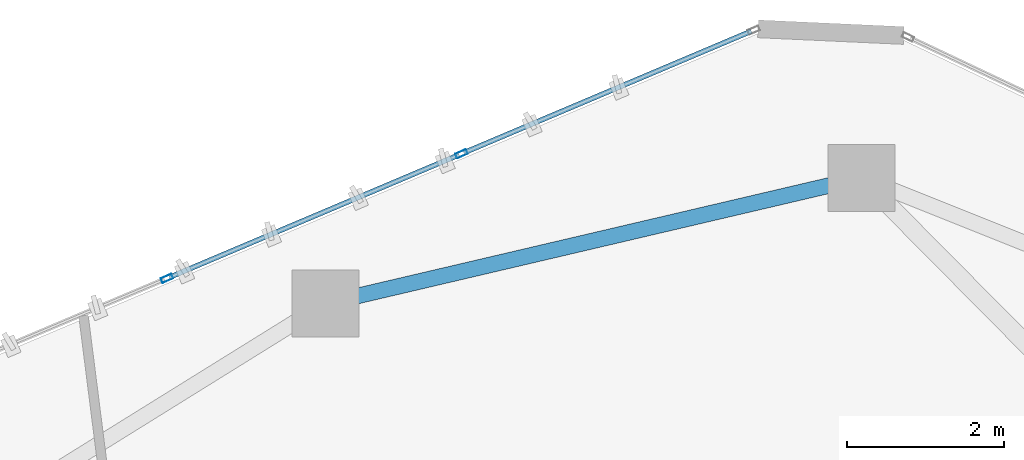
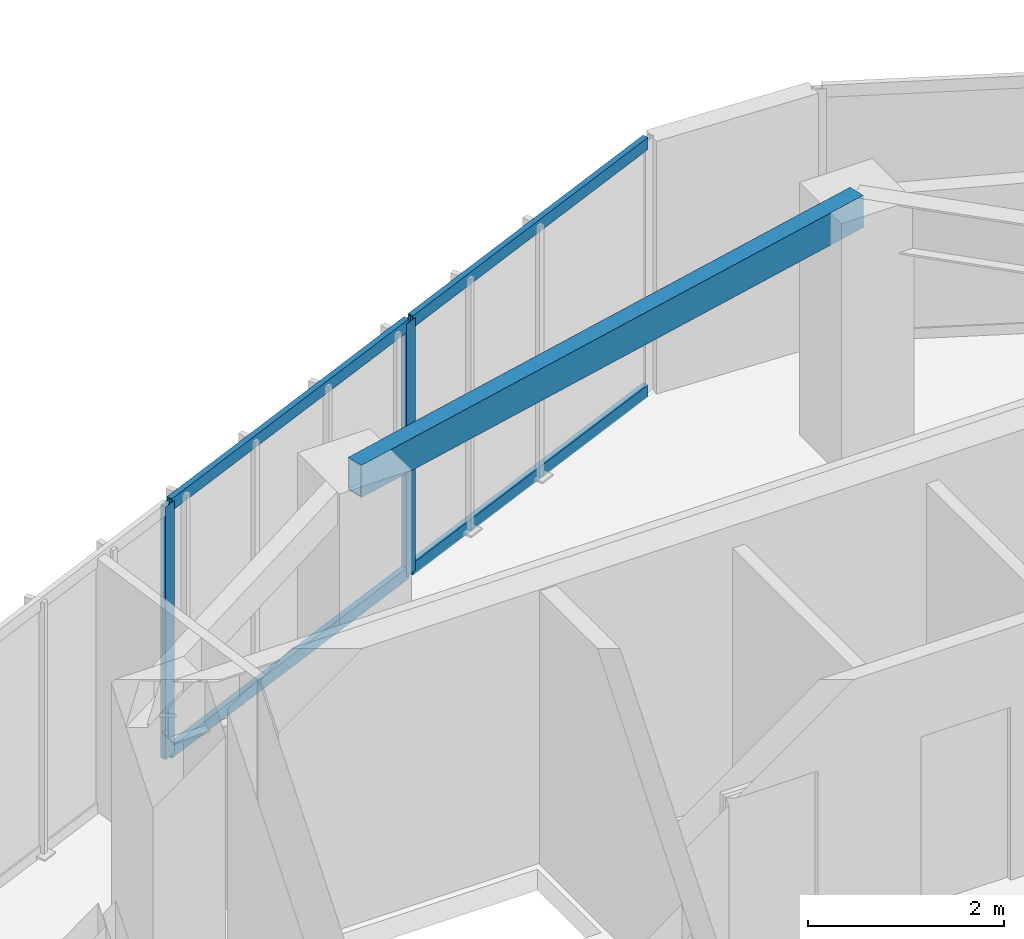
# One storey, part 11 of 20: 6 members, 1 beam, 1 element without a shape of its own.
"""IFC4 building model written with IfcOpenShell, lengths in metres."""

from ifc_helpers import new_model, si_unit, direction, frame, origin, origin_2d, place, context, subcontext, project, spatial, hollow_rectangle, extrude, source, transform, mapped, material, layer, layer_set, material_profile, profile_set, type_object, type_shapes, element, aggregate, save


model = new_model("IFC4")

# Units and contexts
model_context = context("Model", 3, precision=1e-05, world=origin(), true_north=direction((0.0, 1.0)))
body_context = subcontext(model_context, "Body", "Model", "MODEL_VIEW")
ifc_project = project(units=[si_unit("LENGTHUNIT", "METRE"), si_unit("AREAUNIT", "SQUARE_METRE"), si_unit("VOLUMEUNIT", "CUBIC_METRE"), si_unit("PLANEANGLEUNIT", "RADIAN"), si_unit("MASSUNIT", "GRAM", prefix="KILO")], contexts=[model_context])

# Site, building, storey
site_placement = place(None, origin())
site = spatial("IfcSite", under=ifc_project, at=site_placement, CompositionType="ELEMENT")
building_placement = place(site_placement, origin())
building = spatial("IfcBuilding", under=site, at=building_placement, Name="Talar Marvaseh", CompositionType="ELEMENT")
storey_placement = place(building_placement, frame((0.0, 0.0, 274.800048828125)))
storey = spatial("IfcBuildingStorey", under=building, at=storey_placement, Name="L73", CompositionType="ELEMENT", Elevation=274.800048828125)

# Beam
ifc_material_1 = material(Name="Steel S355", Category="steel")
ifc_material_profile_1 = material_profile(ifc_material_1, hollow_rectangle(XDim=0.199951171875, YDim=0.39990234375, WallThickness=0.013916015625, at=origin_2d()), Name="RHS400x200x14")
ifc_profile_set_1 = profile_set([ifc_material_profile_1], Name="Steel S355")
beam_type = type_object("IfcBeamType", Name="Zone 3 Perimeter Spandrel Beam RHS400x200x14", PredefinedType="SPANDREL", material=ifc_profile_set_1)
beam_placement = place(storey_placement, frame((22.364990234375, 39.4541015625, 2.93994140625), z_axis=(0.973655602276, 0.228023613157, 0.0), x_axis=(-0.228023613157, 0.973655602276, 0.0)))
element("IfcBeam", 1, at=beam_placement, inside=storey, type_object=beam_type, Name="L73 Zone 3 Perimeter Spandrel Beam RHS400x200x14", PredefinedType="SPANDREL", context=body_context, shape_type="SweptSolid", body=[
    extrude(hollow_rectangle(XDim=0.199951171875, YDim=0.39990234375, WallThickness=0.013916015625, at=origin_2d()), origin(), (0.0, 0.0, 1.0), 7.007568359375),
])

# Curtain wall, members
ifc_material_2 = material(Name="Architectural Aluminium", Category="aluminium")
ifc_layer = layer(ifc_material_2, 0.179931640625)
ifc_layer_set = layer_set([ifc_layer], Name="Architectural Aluminium")
curtain_wall_type = type_object("IfcCurtainWallType", Name="Unitised High-Wind Sky Curtain Wall Z4", PredefinedType="NOTDEFINED", material=ifc_layer_set)
curtain_wall_placement = place(storey_placement, origin())
curtain_wall = element("IfcCurtainWall", 2, at=curtain_wall_placement, inside=storey, type_object=curtain_wall_type, Name="L73 Unitised High-Wind Sky Curtain Wall Z4", PredefinedType="NOTDEFINED")
ifc_material_profile_2 = material_profile(ifc_material_2, hollow_rectangle(XDim=0.06494140625, YDim=0.14990234375, WallThickness=0.00390625, at=origin_2d()), Name="RHS150x65x4")
ifc_profile_set_2 = profile_set([ifc_material_profile_2], Name="Architectural Aluminium")
member_type_1 = type_object("IfcMemberType", Name="Unitised Curtain Wall Slim Mullion RHS150x65x4", PredefinedType="MULLION", material=ifc_profile_set_2)
shared_shape_1 = source(origin(), body_context, "Body", "SweptSolid", [
    extrude(hollow_rectangle(XDim=0.06494140625, YDim=0.14990234375, WallThickness=0.00390625, at=origin_2d()), origin(), (0.0, 0.0, 1.0), 3.139892578125),
])
type_shapes(member_type_1, [shared_shape_1])
member_1_placement = place(storey_placement, frame((20.349853515625, 39.7734375, 0.0), z_axis=(0.0, 0.0, 1.0), x_axis=(-0.389637585446, 0.92096826873, 0.0)))
member_1 = element("IfcMember", 3, at=member_1_placement, type_object=member_type_1, Name="CW-Z4 mullion 2", PredefinedType="MULLION", context=body_context, shape_type="MappedRepresentation", body=[
    mapped(shared_shape_1, transform((0.0, 0.0, 0.0), x_axis=(1.0, 0.0, 0.0), y_axis=(0.0, 1.0, 0.0), z_axis=(0.0, 0.0, 1.0), scale=1.0)),
])
member_2_placement = place(storey_placement, frame((24.096923828125, 41.358642578125, 0.0), z_axis=(0.0, 0.0, 1.0), x_axis=(-0.389637585446, 0.92096826873, 0.0)))
member_2 = element("IfcMember", 4, at=member_2_placement, type_object=member_type_1, Name="CW-Z4 mullion 3", PredefinedType="MULLION", context=body_context, shape_type="MappedRepresentation", body=[
    mapped(shared_shape_1, transform((0.0, 0.0, 0.0), x_axis=(1.0, 0.0, 0.0), y_axis=(0.0, 1.0, 0.0), z_axis=(0.0, 0.0, 1.0), scale=1.0)),
])
ifc_material_profile_3 = material_profile(ifc_material_2, hollow_rectangle(XDim=0.06494140625, YDim=0.14990234375, WallThickness=0.00390625, at=origin_2d()), Name="RHS150x65x4")
ifc_profile_set_3 = profile_set([ifc_material_profile_3], Name="Architectural Aluminium")
member_type_2 = type_object("IfcMemberType", Name="Unitised Curtain Wall Slim Transom RHS150x65x4", PredefinedType="USERDEFINED", material=ifc_profile_set_3)
shared_shape_2 = source(origin(), body_context, "Body", "SweptSolid", [
    extrude(hollow_rectangle(XDim=0.06494140625, YDim=0.14990234375, WallThickness=0.00390625, at=origin_2d()), origin(), (0.0, 0.0, 1.0), 3.97119140625),
])
member_3_placement = place(storey_placement, frame((24.126953125, 41.371337890625, 0.032470703125), z_axis=(0.920960462746, 0.389656035573, 0.0), x_axis=(-0.389656035573, 0.920960462746, 0.0)))
member_3 = element("IfcMember", 5, at=member_3_placement, type_object=member_type_2, Name="CW-Z4 transom 3.1", ObjectType="TRANSOM", PredefinedType="USERDEFINED", context=body_context, shape_type="MappedRepresentation", body=[
    mapped(shared_shape_2, transform((0.0, 0.0, 0.0), x_axis=(1.0, 0.0, 0.0), y_axis=(0.0, 1.0, 0.0), z_axis=(0.0, 0.0, 1.0), scale=1.0)),
])
member_4_placement = place(storey_placement, frame((24.126953125, 41.371337890625, 3.107421875), z_axis=(0.920960462746, 0.389656035573, 0.0), x_axis=(-0.389656035573, 0.920960462746, 0.0)))
member_4 = element("IfcMember", 6, at=member_4_placement, type_object=member_type_2, Name="CW-Z4 transom 3.2", ObjectType="TRANSOM", PredefinedType="USERDEFINED", context=body_context, shape_type="MappedRepresentation", body=[
    mapped(shared_shape_2, transform((0.0, 0.0, 0.0), x_axis=(1.0, 0.0, 0.0), y_axis=(0.0, 1.0, 0.0), z_axis=(0.0, 0.0, 1.0), scale=1.0)),
])
shared_shape_3 = source(origin(), body_context, "Body", "SweptSolid", [
    extrude(hollow_rectangle(XDim=0.06494140625, YDim=0.14990234375, WallThickness=0.00390625, at=origin_2d()), origin(), (0.0, 0.0, 1.0), 4.003662109375),
])
type_shapes(member_type_2, [shared_shape_2, shared_shape_3])
member_5_placement = place(storey_placement, frame((20.3798828125, 39.7861328125, 0.032470703125), z_axis=(0.920983241324, 0.389602193526, 0.0), x_axis=(-0.389602193526, 0.920983241324, 0.0)))
member_5 = element("IfcMember", 7, at=member_5_placement, type_object=member_type_2, Name="CW-Z4 transom 2.1", ObjectType="TRANSOM", PredefinedType="USERDEFINED", context=body_context, shape_type="MappedRepresentation", body=[
    mapped(shared_shape_3, transform((0.0, 0.0, 0.0), x_axis=(1.0, 0.0, 0.0), y_axis=(0.0, 1.0, 0.0), z_axis=(0.0, 0.0, 1.0), scale=1.0)),
])
member_6_placement = place(storey_placement, frame((20.3798828125, 39.7861328125, 3.107421875), z_axis=(0.920983241324, 0.389602193526, 0.0), x_axis=(-0.389602193526, 0.920983241324, 0.0)))
member_6 = element("IfcMember", 8, at=member_6_placement, type_object=member_type_2, Name="CW-Z4 transom 2.2", ObjectType="TRANSOM", PredefinedType="USERDEFINED", context=body_context, shape_type="MappedRepresentation", body=[
    mapped(shared_shape_3, transform((0.0, 0.0, 0.0), x_axis=(1.0, 0.0, 0.0), y_axis=(0.0, 1.0, 0.0), z_axis=(0.0, 0.0, 1.0), scale=1.0)),
])
aggregate(curtain_wall, [member_1, member_2, member_5, member_6, member_3, member_4])

save(model, "model.ifc")
